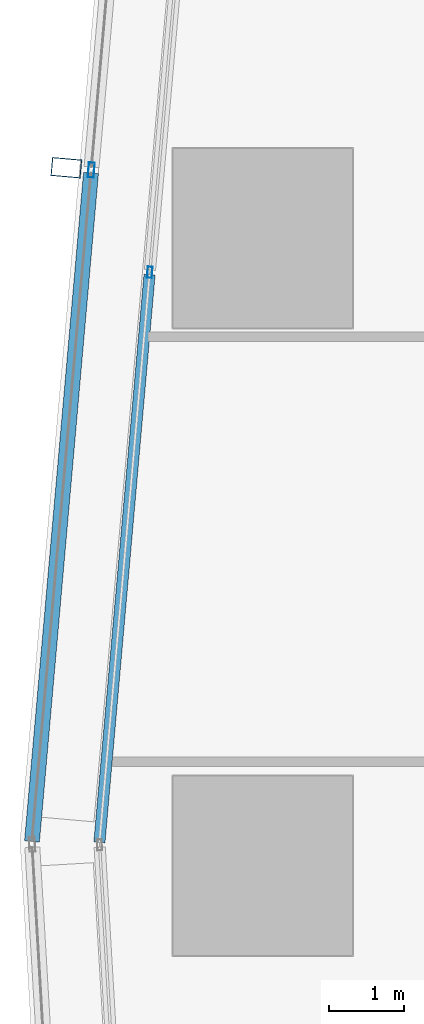
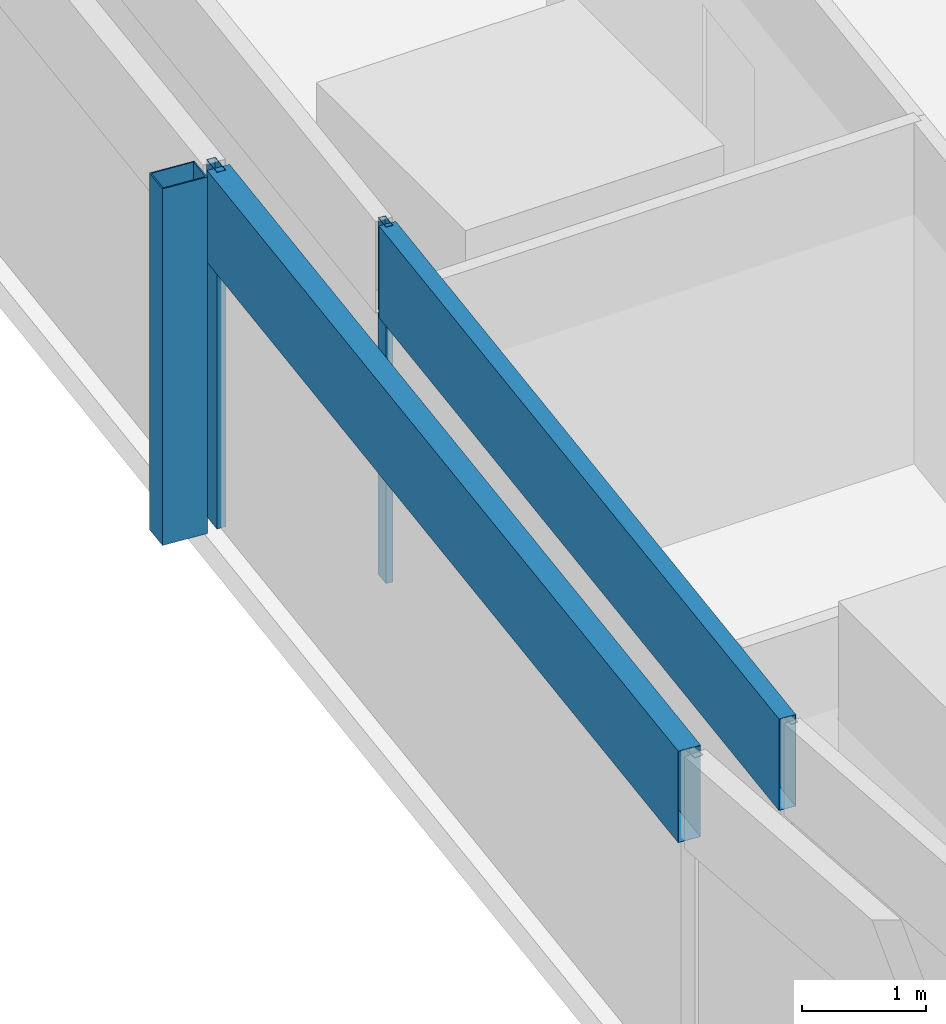
# One storey, part 14 of 37: 5 members, 2 elements without a shape of their own.
"""IFC4 building model written with IfcOpenShell, lengths in metres."""

from ifc_helpers import new_model, si_unit, direction, frame, origin, origin_2d, place, context, subcontext, project, spatial, hollow_rectangle, extrude, material, material_profile, profile_set, type_object, element, aggregate, save


model = new_model("IFC4")

# Units and contexts
model_context = context("Model", 3, precision=1e-05, world=origin(), true_north=direction((0.0, 1.0)))
body_context = subcontext(model_context, "Body", "Model", "MODEL_VIEW")
ifc_project = project(units=[si_unit("LENGTHUNIT", "METRE"), si_unit("AREAUNIT", "SQUARE_METRE"), si_unit("VOLUMEUNIT", "CUBIC_METRE"), si_unit("PLANEANGLEUNIT", "RADIAN"), si_unit("MASSUNIT", "GRAM", prefix="KILO")], contexts=[model_context])

# Site, building, storey
site_placement = place(None, origin())
site = spatial("IfcSite", under=ifc_project, at=site_placement, CompositionType="ELEMENT")
building_placement = place(site_placement, origin())
building = spatial("IfcBuilding", under=site, at=building_placement, Name="Rekha Terrace Tower", CompositionType="ELEMENT")
storey_placement = place(building_placement, frame((0.0, 0.0, 228.949951171875)))
storey = spatial("IfcBuildingStorey", under=building, at=storey_placement, Name="L58", CompositionType="ELEMENT", Elevation=228.949951171875)

# Curtain wall, member
ifc_material_1 = material(Name="Aluminium framing", Category="aluminium")
curtain_wall_type_1 = type_object("IfcCurtainWallType", Name="CW2 double skin outer glazing", PredefinedType="USERDEFINED", material=ifc_material_1)
curtain_wall_1_placement = place(storey_placement, origin())
curtain_wall_1 = element("IfcCurtainWall", 1, at=curtain_wall_1_placement, inside=storey, type_object=curtain_wall_type_1, Name="CW2 double skin outer glazing", ObjectType="DOUBLE SKIN OUTER GLAZING", PredefinedType="USERDEFINED")
ifc_material_2 = material(Name="Steel S355 with fluorocarbon finish", Category="steel")
ifc_material_profile_1 = material_profile(ifc_material_2, hollow_rectangle(XDim=0.25, YDim=0.39990234375, WallThickness=0.012451171875, at=origin_2d()), Name="RHS400x250x12.5")
ifc_profile_set_1 = profile_set([ifc_material_profile_1], Name="Steel S355 with fluorocarbon finish")
member_type_1 = type_object("IfcMemberType", Name="BL1 facade blade RHS 400 x 250", PredefinedType="USERDEFINED", material=ifc_profile_set_1)
member_1_placement = place(storey_placement, frame((5.77001953125, 51.341796875, 0.0), z_axis=(0.0, 0.0, 1.0), x_axis=(-0.087957249501, -0.996124250413, 0.0)))
member_1 = element("IfcMember", 2, at=member_1_placement, type_object=member_type_1, Name="Facade blade", ObjectType="FACADE BLADE", PredefinedType="USERDEFINED", context=body_context, shape_type="SweptSolid", body=[
    extrude(hollow_rectangle(XDim=0.25, YDim=0.39990234375, WallThickness=0.012451171875, at=origin_2d()), origin(), (0.0, 0.0, 1.0), 3.5),
])

# Curtain wall, members
curtain_wall_type_2 = type_object("IfcCurtainWallType", Name="CW1 double skin inner glazing", PredefinedType="USERDEFINED", material=ifc_material_1)
curtain_wall_2_placement = place(storey_placement, origin())
curtain_wall_2 = element("IfcCurtainWall", 3, at=curtain_wall_2_placement, inside=storey, type_object=curtain_wall_type_2, Name="CW1 double skin inner glazing", ObjectType="DOUBLE SKIN INNER GLAZING", PredefinedType="USERDEFINED")
ifc_material_3 = material(Name="Aluminium mullion section", Category="aluminium")
ifc_material_profile_2 = material_profile(ifc_material_3, hollow_rectangle(XDim=0.06494140625, YDim=0.14990234375, WallThickness=0.00390625, at=origin_2d()), Name="AL RHS 65x150")
ifc_profile_set_2 = profile_set([ifc_material_profile_2], Name="Aluminium mullion section")
member_type_2 = type_object("IfcMemberType", Name="CW1 mullion RHS 65 x 150", PredefinedType="MULLION", material=ifc_profile_set_2)
member_2_placement = place(storey_placement, frame((6.886474609375, 49.943115234375, 0.0), z_axis=(0.0, 0.0, 1.0), x_axis=(0.996124185427, -0.087957985471, 0.0)))
member_2 = element("IfcMember", 4, at=member_2_placement, type_object=member_type_2, Name="CW1 mullion 2", PredefinedType="MULLION", context=body_context, shape_type="SweptSolid", body=[
    extrude(hollow_rectangle(XDim=0.06494140625, YDim=0.14990234375, WallThickness=0.00390625, at=origin_2d()), origin(), (0.0, 0.0, 1.0), 3.5),
])
ifc_material_4 = material(Name="Insulated aluminium spandrel box", Category="aluminium")
ifc_material_profile_3 = material_profile(ifc_material_4, hollow_rectangle(XDim=0.14990234375, YDim=0.89990234375, WallThickness=0.0029296875, at=origin_2d()), Name="AL SPANDREL BOX 150x900")
ifc_profile_set_3 = profile_set([ifc_material_profile_3], Name="Insulated aluminium spandrel box")
member_type_3 = type_object("IfcMemberType", Name="CW1 spandrel transom 150 x 900", PredefinedType="USERDEFINED", material=ifc_profile_set_3)
member_3_placement = place(storey_placement, frame((6.883544921875, 49.91064453125, 3.050048828125), z_axis=(-0.087977901536, -0.996122426633, 0.0), x_axis=(0.996122426633, -0.087977901536, 0.0)))
member_3 = element("IfcMember", 5, at=member_3_placement, type_object=member_type_3, Name="CW1 spandrel transom 2", ObjectType="TRANSOM", PredefinedType="USERDEFINED", context=body_context, shape_type="SweptSolid", body=[
    extrude(hollow_rectangle(XDim=0.14990234375, YDim=0.89990234375, WallThickness=0.0029296875, at=origin_2d()), origin(), (0.0, 0.0, 1.0), 7.625732421875),
])
aggregate(curtain_wall_2, [member_2, member_3])

# Member
ifc_material_profile_4 = material_profile(ifc_material_3, hollow_rectangle(XDim=0.080078125, YDim=0.199951171875, WallThickness=0.00390625, at=origin_2d()), Name="AL RHS 80x200")
ifc_profile_set_4 = profile_set([ifc_material_profile_4], Name="Aluminium mullion section")
member_type_4 = type_object("IfcMemberType", Name="CW2 mullion RHS 80 x 200", PredefinedType="MULLION", material=ifc_profile_set_4)
member_4_placement = place(storey_placement, frame((6.103759765625, 51.312255859375, 0.0), z_axis=(0.0, 0.0, 1.0), x_axis=(0.996124185428, -0.087957985453, 0.0)))
member_4 = element("IfcMember", 6, at=member_4_placement, type_object=member_type_4, Name="CW2 mullion 2", PredefinedType="MULLION", context=body_context, shape_type="SweptSolid", body=[
    extrude(hollow_rectangle(XDim=0.080078125, YDim=0.199951171875, WallThickness=0.00390625, at=origin_2d()), origin(), (0.0, 0.0, 1.0), 3.5),
])

ifc_material_profile_5 = material_profile(ifc_material_4, hollow_rectangle(XDim=0.199951171875, YDim=0.89990234375, WallThickness=0.0029296875, at=origin_2d()), Name="AL SPANDREL BOX 200x900")
ifc_profile_set_5 = profile_set([ifc_material_profile_5], Name="Insulated aluminium spandrel box")
member_type_5 = type_object("IfcMemberType", Name="CW2 spandrel transom 200 x 900", PredefinedType="USERDEFINED", material=ifc_profile_set_5)
member_5_placement = place(storey_placement, frame((6.100341796875, 51.2724609375, 3.050048828125), z_axis=(-0.087981092326, -0.996122144816, 0.0), x_axis=(0.996122144816, -0.087981092326, 0.0)))
member_5 = element("IfcMember", 7, at=member_5_placement, type_object=member_type_5, Name="CW2 spandrel transom 2", ObjectType="TRANSOM", PredefinedType="USERDEFINED", context=body_context, shape_type="SweptSolid", body=[
    extrude(hollow_rectangle(XDim=0.199951171875, YDim=0.89990234375, WallThickness=0.0029296875, at=origin_2d()), origin(), (0.0, 0.0, 1.0), 8.979736328125),
])

aggregate(curtain_wall_1, [member_4, member_5, member_1])

save(model, "model.ifc")
